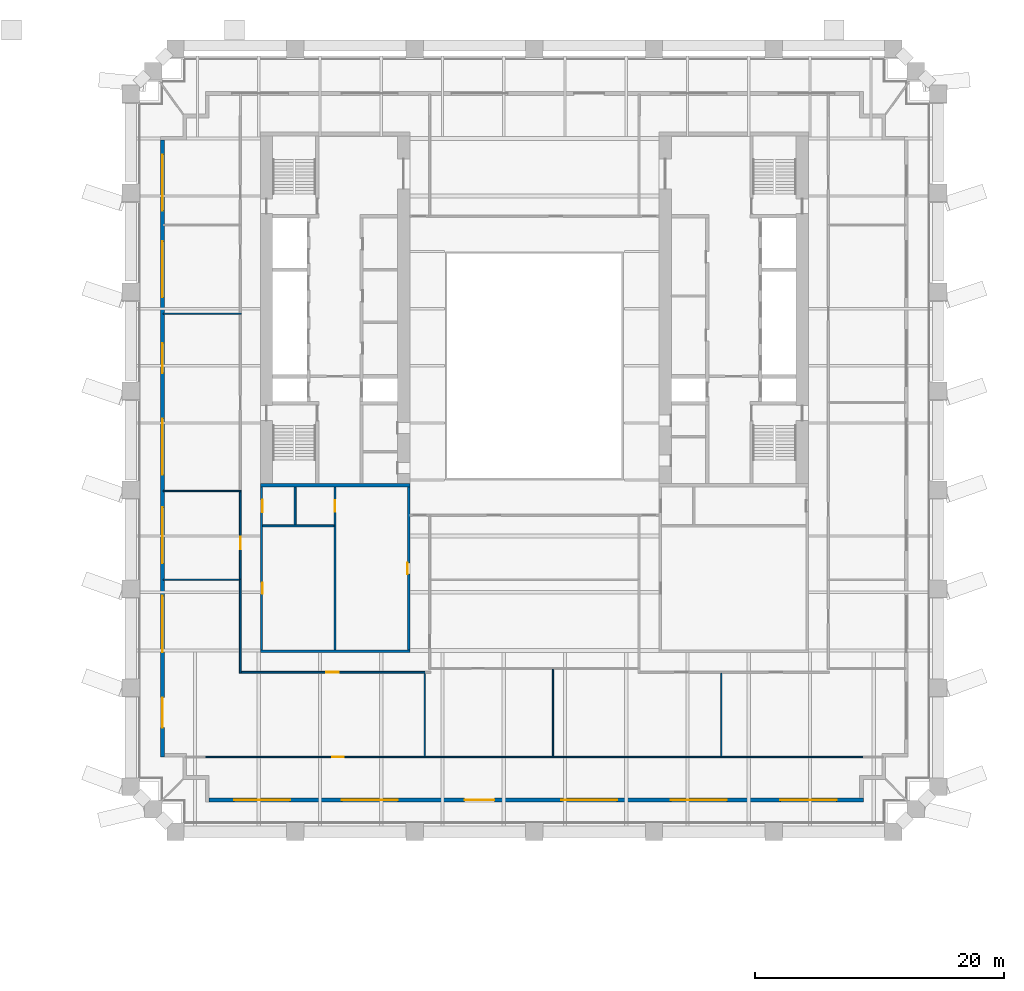
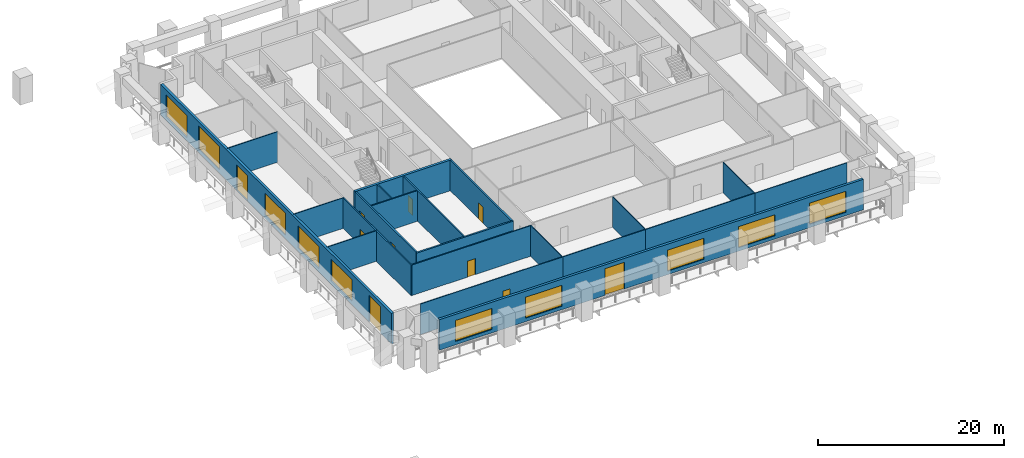
# One storey, part 3 of 10: 22 walls, 10 doors, 10 windows, 20 openings.
"""IFC4 building model written with IfcOpenShell, lengths in metres."""

from ifc_helpers import new_model, si_unit, direction, frame, frame_2d, origin, place, context, subcontext, project, spatial, rectangle, extrude, material, layer, layer_set, type_object, element, fill, save


model = new_model("IFC4")

# Units and contexts
model_context = context("Model", 3, precision=1e-05, world=origin(), true_north=direction((0.0, 1.0)))
body_context = subcontext(model_context, "Body", "Model", "MODEL_VIEW")
ifc_project = project(units=[si_unit("LENGTHUNIT", "METRE"), si_unit("AREAUNIT", "SQUARE_METRE"), si_unit("VOLUMEUNIT", "CUBIC_METRE"), si_unit("PLANEANGLEUNIT", "RADIAN"), si_unit("MASSUNIT", "GRAM", prefix="KILO")], contexts=[model_context])

# Site, building, storey
site_placement = place(None, origin())
site = spatial("IfcSite", under=ifc_project, at=site_placement, CompositionType="ELEMENT")
building_placement = place(site_placement, origin())
building = spatial("IfcBuilding", under=site, at=building_placement, Name="Ogive Exchange Tower", CompositionType="ELEMENT")
storey_placement = place(building_placement, frame((0.0, 0.0, 43.800048828125)))
storey = spatial("IfcBuildingStorey", under=building, at=storey_placement, Name="L08", CompositionType="ELEMENT", Elevation=43.800048828125)

# Wall, opening, door
ifc_material_1 = material(Name="Gypsum board partition")
ifc_layer_1 = layer(ifc_material_1, 0.14990234375)
ifc_layer_set_1 = layer_set([ifc_layer_1], Name="Core room partition 150 gypsum")
wall_type_1 = type_object("IfcWallType", Name="Core room partition 150 gypsum", PredefinedType="PARTITIONING", material=ifc_layer_set_1)
wall_1_placement = place(storey_placement, frame((-16.0, -15.800048828125, 0.0), z_axis=(0.0, 0.0, 1.0), x_axis=(0.0, 1.0, 0.0)))
wall_1 = element("IfcWall", 1, at=wall_1_placement, inside=storey, type_object=wall_type_1, Name="W annex S column wall", PredefinedType="PARTITIONING", context=body_context, shape_type="SweptSolid", body=[
    extrude(rectangle(XDim=13.050048828125, YDim=0.14990234375, at=frame_2d((6.52490234375, 0.0))), origin(), (0.0, 0.0, 1.0), 4.0),
])
opening_1_placement = place(wall_1_placement, frame((11.08740234375, 0.0, 0.0)))
opening_1 = element("IfcOpeningElement", 2, at=opening_1_placement, cuts=wall_1, Name="Opening L08-C22", PredefinedType="OPENING", context=body_context, shape_type="SweptSolid", body=[
    extrude(rectangle(XDim=0.89990234375, YDim=2.10009765625, at=frame_2d((0.449951171875, 1.050048828125))), frame((0.0, 0.0849609375, 0.0), z_axis=(0.0, -1.0, 0.0), x_axis=(1.0, 0.0, 0.0)), (0.0, 0.0, 1.0), 0.169921875),
])
ifc_material_2 = material(Name="Steel fire door", Category="steel")
door_type_1 = type_object("IfcDoorType", Name="Riser door FD60 900 x 2100", OperationType="NOTDEFINED", PredefinedType="DOOR", material=ifc_material_2)
door_1_placement = place(opening_1_placement, frame((0.89990234375, 0.0, 0.0), z_axis=(0.0, 0.0, 1.0), x_axis=(-1.0, 0.0, 0.0)))
door_1 = element("IfcDoor", 3, at=door_1_placement, inside=storey, type_object=door_type_1, Name="Riser door", ObjectType="CD2", OperationType="SINGLE_SWING_RIGHT", OverallHeight=2.10009765625, OverallWidth=0.89990234375, PredefinedType="DOOR", context=body_context, shape_type="SweptSolid", body=[
    extrude(rectangle(XDim=0.89990234375, YDim=2.10009765625, at=frame_2d((0.449951171875, 1.050048828125))), frame((0.0, 0.02490234375, 0.0), z_axis=(0.0, -1.0, 0.0), x_axis=(1.0, 0.0, 0.0)), (0.0, 0.0, 1.0), 0.050048828125),
])
fill(opening_1, door_1)

# Walls
wall_2_placement = place(storey_placement, frame((-21.800048828125, -5.85009765625, 0.0), z_axis=(0.0, 0.0, 1.0), x_axis=(1.0, 0.0, 0.0)))
element("IfcWall", 4, at=wall_2_placement, inside=storey, type_object=wall_type_1, Name="W annex S wc strip wall 00", PredefinedType="PARTITIONING", context=body_context, shape_type="SweptSolid", body=[
    extrude(rectangle(XDim=5.72509765625, YDim=0.14990234375, at=frame_2d((2.862548828125, 0.0))), origin(), (0.0, 0.0, 1.0), 4.0),
])
wall_3_placement = place(storey_placement, frame((-19.199951171875, -5.77490234375, 0.0), z_axis=(0.0, 0.0, 1.0), x_axis=(0.0, 1.0, 0.0)))
element("IfcWall", 5, at=wall_3_placement, inside=storey, type_object=wall_type_1, Name="W annex S wc partition 00", PredefinedType="PARTITIONING", context=body_context, shape_type="SweptSolid", body=[
    extrude(rectangle(XDim=3.02490234375, YDim=0.14990234375, at=frame_2d((1.512451171875, 0.0))), origin(), (0.0, 0.0, 1.0), 4.0),
])
ifc_material_3 = material(Name="Fire partition EI 60 150")
ifc_layer_2 = layer(ifc_material_3, 0.14990234375)
ifc_layer_set_2 = layer_set([ifc_layer_2], Name="Fire partition EI 60 150")
wall_type_2 = type_object("IfcWallType", Name="Fire partition EI 60 150", PredefinedType="PARTITIONING", material=ifc_layer_set_2)
wall_4_placement = place(storey_placement, frame((-23.60009765625, -17.675048828125, 0.0), z_axis=(0.0, 0.0, 1.0), x_axis=(0.0, 1.0, 0.0)))
element("IfcWall", 6, at=wall_4_placement, inside=storey, type_object=wall_type_2, Name="L08-PWL-006", PredefinedType="PARTITIONING", context=body_context, shape_type="SweptSolid", body=[
    extrude(rectangle(XDim=7.554931640625, YDim=0.14990234375, at=frame_2d((3.77734375, 0.0))), origin(), (0.0, 0.0, 1.0), 4.0),
])

# Wall, opening, door
wall_5_placement = place(storey_placement, frame((-23.60009765625, -10.1201171875, 0.0), z_axis=(0.0, 0.0, 1.0), x_axis=(0.0, 1.0, 0.0)))
wall_5 = element("IfcWall", 7, at=wall_5_placement, inside=storey, type_object=wall_type_2, Name="L08-PWL-008", PredefinedType="PARTITIONING", context=body_context, shape_type="SweptSolid", body=[
    extrude(rectangle(XDim=7.010009765625, YDim=0.14990234375, at=frame_2d((3.5048828125, 0.0))), origin(), (0.0, 0.0, 1.0), 4.0),
])
opening_2_placement = place(wall_5_placement, frame((2.409912109375, 0.0, 0.0)))
opening_2 = element("IfcOpeningElement", 8, at=opening_2_placement, cuts=wall_5, Name="Opening L08-I02", PredefinedType="OPENING", context=body_context, shape_type="SweptSolid", body=[
    extrude(rectangle(XDim=1.0, YDim=2.10009765625, at=frame_2d((0.5, 1.050048828125))), frame((0.0, 0.0849609375, 0.0), z_axis=(0.0, -1.0, 0.0), x_axis=(1.0, 0.0, 0.0)), (0.0, 0.0, 1.0), 0.169921875),
])
ifc_material_4 = material(Name="Fire door FD 30S 1000 x 2100")
door_type_2 = type_object("IfcDoorType", Name="Fire door FD 30S 1000 x 2100", OperationType="NOTDEFINED", PredefinedType="DOOR", material=ifc_material_4)
door_2_placement = place(opening_2_placement, origin())
door_2 = element("IfcDoor", 9, at=door_2_placement, inside=storey, type_object=door_type_2, Name="L08-IDR-002", ObjectType="DT3", OperationType="SINGLE_SWING_RIGHT", OverallHeight=2.10009765625, OverallWidth=1.0, PredefinedType="DOOR", context=body_context, shape_type="SweptSolid", body=[
    extrude(rectangle(XDim=1.0, YDim=2.10009765625, at=frame_2d((0.5, 1.050048828125))), frame((0.0, 0.02490234375, 0.0), z_axis=(0.0, -1.0, 0.0), x_axis=(1.0, 0.0, 0.0)), (0.0, 0.0, 1.0), 0.050048828125),
])
fill(opening_2, door_2)

wall_6_placement = place(storey_placement, frame((-8.75, -17.60009765625, 0.0), z_axis=(0.0, 0.0, 1.0), x_axis=(-1.0, 0.0, 0.0)))
wall_6 = element("IfcWall", 10, at=wall_6_placement, inside=storey, type_object=wall_type_2, Name="L08-PWL-014", PredefinedType="PARTITIONING", context=body_context, shape_type="SweptSolid", body=[
    extrude(rectangle(XDim=14.77490234375, YDim=0.14990234375, at=frame_2d((7.387451171875, 0.0))), origin(), (0.0, 0.0, 1.0), 4.0),
])
opening_3_placement = place(wall_6_placement, frame((6.949951171875, 0.0, 0.0)))
opening_3 = element("IfcOpeningElement", 11, at=opening_3_placement, cuts=wall_6, Name="Opening L08-I11", PredefinedType="OPENING", context=body_context, shape_type="SweptSolid", body=[
    extrude(rectangle(XDim=1.0, YDim=2.10009765625, at=frame_2d((0.5, 1.050048828125))), frame((0.0, 0.0849609375, 0.0), z_axis=(0.0, -1.0, 0.0), x_axis=(1.0, 0.0, 0.0)), (0.0, 0.0, 1.0), 0.169921875),
])
door_3_placement = place(opening_3_placement, origin())
door_3 = element("IfcDoor", 12, at=door_3_placement, inside=storey, type_object=door_type_2, Name="L08-IDR-011", ObjectType="DT3", OperationType="SINGLE_SWING_LEFT", OverallHeight=2.10009765625, OverallWidth=1.0, PredefinedType="DOOR", context=body_context, shape_type="SweptSolid", body=[
    extrude(rectangle(XDim=1.0, YDim=2.10009765625, at=frame_2d((0.5, 1.050048828125))), frame((0.0, 0.02490234375, 0.0), z_axis=(0.0, -1.0, 0.0), x_axis=(1.0, 0.0, 0.0)), (0.0, 0.0, 1.0), 0.050048828125),
])
fill(opening_3, door_3)

# Wall, openings, door, windows
ifc_material_5 = material(Name="Precast concrete C40/50", Category="concrete")
ifc_layer_3 = layer(ifc_material_5, 0.300048828125)
ifc_layer_set_3 = layer_set([ifc_layer_3], Name="Limestone-faced wall 300")
wall_type_3 = type_object("IfcWallType", Name="Limestone-faced wall 300", PredefinedType="STANDARD", material=ifc_layer_set_3)
wall_7_placement = place(storey_placement, frame((-26.10009765625, -27.85009765625, 0.0), z_axis=(0.0, 0.0, 1.0), x_axis=(1.0, 0.0, 0.0)))
wall_7 = element("IfcWall", 13, at=wall_7_placement, inside=storey, type_object=wall_type_3, Name="External wall S1", PredefinedType="STANDARD", context=body_context, shape_type="SweptSolid", body=[
    extrude(rectangle(XDim=52.5, YDim=0.300048828125, at=frame_2d((26.25, 0.0))), origin(), (0.0, 0.0, 1.0), 4.0),
])
opening_4_placement = place(wall_7_placement, frame((2.0, 0.0, 0.449951171875)))
opening_4 = element("IfcOpeningElement", 14, at=opening_4_placement, cuts=wall_7, Name="Opening W1H", PredefinedType="OPENING", context=body_context, shape_type="SweptSolid", body=[
    extrude(rectangle(XDim=4.5, YDim=2.75, at=frame_2d((2.25, 1.375))), frame((0.0, 0.159912109375, 0.0), z_axis=(0.0, -1.0, 0.0), x_axis=(1.0, 0.0, 0.0)), (0.0, 0.0, 1.0), 0.320068359375),
])
opening_5_placement = place(wall_7_placement, frame((10.64990234375, 0.0, 0.449951171875)))
opening_5 = element("IfcOpeningElement", 15, at=opening_5_placement, cuts=wall_7, Name="Opening W1H", PredefinedType="OPENING", context=body_context, shape_type="SweptSolid", body=[
    extrude(rectangle(XDim=4.5, YDim=2.75, at=frame_2d((2.25, 1.375))), frame((0.0, 0.159912109375, 0.0), z_axis=(0.0, -1.0, 0.0), x_axis=(1.0, 0.0, 0.0)), (0.0, 0.0, 1.0), 0.320068359375),
])
opening_6_placement = place(wall_7_placement, frame((20.5, 0.0, 0.0)))
opening_6 = element("IfcOpeningElement", 16, at=opening_6_placement, cuts=wall_7, Name="Opening D1", PredefinedType="OPENING", context=body_context, shape_type="SweptSolid", body=[
    extrude(rectangle(XDim=2.39990234375, YDim=3.5, at=frame_2d((1.199951171875, 1.75))), frame((0.0, 0.159912109375, 0.0), z_axis=(0.0, -1.0, 0.0), x_axis=(1.0, 0.0, 0.0)), (0.0, 0.0, 1.0), 0.320068359375),
])
opening_7_placement = place(wall_7_placement, frame((28.25, 0.0, 0.449951171875)))
opening_7 = element("IfcOpeningElement", 17, at=opening_7_placement, cuts=wall_7, Name="Opening W1H", PredefinedType="OPENING", context=body_context, shape_type="SweptSolid", body=[
    extrude(rectangle(XDim=4.5, YDim=2.75, at=frame_2d((2.25, 1.375))), frame((0.0, 0.159912109375, 0.0), z_axis=(0.0, -1.0, 0.0), x_axis=(1.0, 0.0, 0.0)), (0.0, 0.0, 1.0), 0.320068359375),
])
opening_8_placement = place(wall_7_placement, frame((37.050048828125, 0.0, 0.449951171875)))
opening_8 = element("IfcOpeningElement", 18, at=opening_8_placement, cuts=wall_7, Name="Opening W1H", PredefinedType="OPENING", context=body_context, shape_type="SweptSolid", body=[
    extrude(rectangle(XDim=4.5, YDim=2.75, at=frame_2d((2.25, 1.375))), frame((0.0, 0.159912109375, 0.0), z_axis=(0.0, -1.0, 0.0), x_axis=(1.0, 0.0, 0.0)), (0.0, 0.0, 1.0), 0.320068359375),
])
opening_9_placement = place(wall_7_placement, frame((45.85009765625, 0.0, 0.449951171875)))
opening_9 = element("IfcOpeningElement", 19, at=opening_9_placement, cuts=wall_7, Name="Opening W1H", PredefinedType="OPENING", context=body_context, shape_type="SweptSolid", body=[
    extrude(rectangle(XDim=4.5, YDim=2.75, at=frame_2d((2.25, 1.375))), frame((0.0, 0.159912109375, 0.0), z_axis=(0.0, -1.0, 0.0), x_axis=(1.0, 0.0, 0.0)), (0.0, 0.0, 1.0), 0.320068359375),
])
ifc_material_6 = material(Name="Clear glass in bronze frame", Category="glass")
door_type_3 = type_object("IfcDoorType", Name="Sliding loggia door 2400 x 3500", OperationType="DOUBLE_DOOR_SLIDING", PredefinedType="DOOR", material=ifc_material_6)
door_4_placement = place(opening_6_placement, origin())
door_4 = element("IfcDoor", 20, at=door_4_placement, inside=storey, type_object=door_type_3, Name="Loggia door S02", OperationType="DOUBLE_DOOR_SLIDING", OverallHeight=3.5, OverallWidth=2.39990234375, PredefinedType="DOOR", context=body_context, shape_type="SweptSolid", body=[
    extrude(rectangle(XDim=2.39990234375, YDim=3.5, at=frame_2d((1.199951171875, 1.75))), frame((0.0, 0.02490234375, 0.0), z_axis=(0.0, -1.0, 0.0), x_axis=(1.0, 0.0, 0.0)), (0.0, 0.0, 1.0), 0.050048828125),
])
fill(opening_6, door_4)
window_type_1 = type_object("IfcWindowType", Name="Twin lancet window 4500 x 2750", PartitioningType="DOUBLE_PANEL_VERTICAL", PredefinedType="WINDOW", material=ifc_material_6)
window_1_placement = place(opening_4_placement, origin())
window_1 = element("IfcWindow", 21, at=window_1_placement, inside=storey, type_object=window_type_1, Name="Window S00", OverallHeight=2.75, OverallWidth=4.5, PartitioningType="DOUBLE_PANEL_VERTICAL", PredefinedType="WINDOW", context=body_context, shape_type="SweptSolid", body=[
    extrude(rectangle(XDim=4.5, YDim=2.75, at=frame_2d((2.25, 1.375))), frame((0.0, 0.030029296875, 0.0), z_axis=(0.0, -1.0, 0.0), x_axis=(1.0, 0.0, 0.0)), (0.0, 0.0, 1.0), 0.06005859375),
])
fill(opening_4, window_1)
window_2_placement = place(opening_5_placement, origin())
window_2 = element("IfcWindow", 22, at=window_2_placement, inside=storey, type_object=window_type_1, Name="Window S01", OverallHeight=2.75, OverallWidth=4.5, PartitioningType="DOUBLE_PANEL_VERTICAL", PredefinedType="WINDOW", context=body_context, shape_type="SweptSolid", body=[
    extrude(rectangle(XDim=4.5, YDim=2.75, at=frame_2d((2.25, 1.375))), frame((0.0, 0.030029296875, 0.0), z_axis=(0.0, -1.0, 0.0), x_axis=(1.0, 0.0, 0.0)), (0.0, 0.0, 1.0), 0.06005859375),
])
fill(opening_5, window_2)
window_3_placement = place(opening_7_placement, origin())
window_3 = element("IfcWindow", 23, at=window_3_placement, inside=storey, type_object=window_type_1, Name="Window S03", OverallHeight=2.75, OverallWidth=4.5, PartitioningType="DOUBLE_PANEL_VERTICAL", PredefinedType="WINDOW", context=body_context, shape_type="SweptSolid", body=[
    extrude(rectangle(XDim=4.5, YDim=2.75, at=frame_2d((2.25, 1.375))), frame((0.0, 0.030029296875, 0.0), z_axis=(0.0, -1.0, 0.0), x_axis=(1.0, 0.0, 0.0)), (0.0, 0.0, 1.0), 0.06005859375),
])
fill(opening_7, window_3)
window_4_placement = place(opening_8_placement, origin())
window_4 = element("IfcWindow", 24, at=window_4_placement, inside=storey, type_object=window_type_1, Name="Window S04", OverallHeight=2.75, OverallWidth=4.5, PartitioningType="DOUBLE_PANEL_VERTICAL", PredefinedType="WINDOW", context=body_context, shape_type="SweptSolid", body=[
    extrude(rectangle(XDim=4.5, YDim=2.75, at=frame_2d((2.25, 1.375))), frame((0.0, 0.030029296875, 0.0), z_axis=(0.0, -1.0, 0.0), x_axis=(1.0, 0.0, 0.0)), (0.0, 0.0, 1.0), 0.06005859375),
])
fill(opening_8, window_4)
window_5_placement = place(opening_9_placement, origin())
window_5 = element("IfcWindow", 25, at=window_5_placement, inside=storey, type_object=window_type_1, Name="Window S05", OverallHeight=2.75, OverallWidth=4.5, PartitioningType="DOUBLE_PANEL_VERTICAL", PredefinedType="WINDOW", context=body_context, shape_type="SweptSolid", body=[
    extrude(rectangle(XDim=4.5, YDim=2.75, at=frame_2d((2.25, 1.375))), frame((0.0, 0.030029296875, 0.0), z_axis=(0.0, -1.0, 0.0), x_axis=(1.0, 0.0, 0.0)), (0.0, 0.0, 1.0), 0.06005859375),
])
fill(opening_9, window_5)

# Wall, openings, doors, windows
wall_8_placement = place(storey_placement, frame((-29.85009765625, 25.10009765625, 0.0), z_axis=(0.0, 0.0, 1.0), x_axis=(0.0, -1.0, 0.0)))
wall_8 = element("IfcWall", 26, at=wall_8_placement, inside=storey, type_object=wall_type_3, Name="External wall W4", PredefinedType="STANDARD", context=body_context, shape_type="SweptSolid", body=[
    extrude(rectangle(XDim=49.5, YDim=0.300048828125, at=frame_2d((24.75, 0.0))), origin(), (0.0, 0.0, 1.0), 4.0),
])
opening_10_placement = place(wall_8_placement, frame((1.156982421875, 0.0, 0.449951171875)))
opening_10 = element("IfcOpeningElement", 27, at=opening_10_placement, cuts=wall_8, Name="Opening W1D", PredefinedType="OPENING", context=body_context, shape_type="SweptSolid", body=[
    extrude(rectangle(XDim=4.5, YDim=2.875, at=frame_2d((2.25, 1.4375))), frame((0.0, 0.159912109375, 0.0), z_axis=(0.0, -1.0, 0.0), x_axis=(1.0, 0.0, 0.0)), (0.0, 0.0, 1.0), 0.320068359375),
])
opening_11_placement = place(wall_8_placement, frame((8.121337890625, 0.0, 0.449951171875)))
opening_11 = element("IfcOpeningElement", 28, at=opening_11_placement, cuts=wall_8, Name="Opening W1", PredefinedType="OPENING", context=body_context, shape_type="SweptSolid", body=[
    extrude(rectangle(XDim=4.5, YDim=3.050048828125, at=frame_2d((2.25, 1.52490234375))), frame((0.0, 0.159912109375, 0.0), z_axis=(0.0, -1.0, 0.0), x_axis=(1.0, 0.0, 0.0)), (0.0, 0.0, 1.0), 0.320068359375),
])
opening_12_placement = place(wall_8_placement, frame((16.28564453125, 0.0, 0.0)))
opening_12 = element("IfcOpeningElement", 29, at=opening_12_placement, cuts=wall_8, Name="Opening D1C", PredefinedType="OPENING", context=body_context, shape_type="SweptSolid", body=[
    extrude(rectangle(XDim=2.39990234375, YDim=3.324951171875, at=frame_2d((1.199951171875, 1.66259765625))), frame((0.0, 0.159912109375, 0.0), z_axis=(0.0, -1.0, 0.0), x_axis=(1.0, 0.0, 0.0)), (0.0, 0.0, 1.0), 0.320068359375),
])
opening_13_placement = place(wall_8_placement, frame((22.35009765625, 0.0, 0.449951171875)))
opening_13 = element("IfcOpeningElement", 30, at=opening_13_placement, cuts=wall_8, Name="Opening W1D", PredefinedType="OPENING", context=body_context, shape_type="SweptSolid", body=[
    extrude(rectangle(XDim=4.5, YDim=2.875, at=frame_2d((2.25, 1.4375))), frame((0.0, 0.159912109375, 0.0), z_axis=(0.0, -1.0, 0.0), x_axis=(1.0, 0.0, 0.0)), (0.0, 0.0, 1.0), 0.320068359375),
])
opening_14_placement = place(wall_8_placement, frame((29.464111328125, 0.0, 0.449951171875)))
opening_14 = element("IfcOpeningElement", 31, at=opening_14_placement, cuts=wall_8, Name="Opening W1D", PredefinedType="OPENING", context=body_context, shape_type="SweptSolid", body=[
    extrude(rectangle(XDim=4.5, YDim=2.875, at=frame_2d((2.25, 1.4375))), frame((0.0, 0.159912109375, 0.0), z_axis=(0.0, -1.0, 0.0), x_axis=(1.0, 0.0, 0.0)), (0.0, 0.0, 1.0), 0.320068359375),
])
opening_15_placement = place(wall_8_placement, frame((36.57861328125, 0.0, 0.449951171875)))
opening_15 = element("IfcOpeningElement", 32, at=opening_15_placement, cuts=wall_8, Name="Opening W1E", PredefinedType="OPENING", context=body_context, shape_type="SweptSolid", body=[
    extrude(rectangle(XDim=4.5, YDim=2.824951171875, at=frame_2d((2.25, 1.41259765625))), frame((0.0, 0.159912109375, 0.0), z_axis=(0.0, -1.0, 0.0), x_axis=(1.0, 0.0, 0.0)), (0.0, 0.0, 1.0), 0.320068359375),
])
opening_16_placement = place(wall_8_placement, frame((44.742919921875, 0.0, 0.0)))
opening_16 = element("IfcOpeningElement", 33, at=opening_16_placement, cuts=wall_8, Name="Opening D1", PredefinedType="OPENING", context=body_context, shape_type="SweptSolid", body=[
    extrude(rectangle(XDim=2.39990234375, YDim=3.5, at=frame_2d((1.199951171875, 1.75))), frame((0.0, 0.159912109375, 0.0), z_axis=(0.0, -1.0, 0.0), x_axis=(1.0, 0.0, 0.0)), (0.0, 0.0, 1.0), 0.320068359375),
])
door_type_4 = type_object("IfcDoorType", Name="Sliding loggia door 2400 x 3325", OperationType="DOUBLE_DOOR_SLIDING", PredefinedType="DOOR", material=ifc_material_6)
door_5_placement = place(opening_12_placement, origin())
door_5 = element("IfcDoor", 34, at=door_5_placement, inside=storey, type_object=door_type_4, Name="Loggia door W02", OperationType="DOUBLE_DOOR_SLIDING", OverallHeight=3.324951171875, OverallWidth=2.39990234375, PredefinedType="DOOR", context=body_context, shape_type="SweptSolid", body=[
    extrude(rectangle(XDim=2.39990234375, YDim=3.324951171875, at=frame_2d((1.199951171875, 1.66259765625))), frame((0.0, 0.02490234375, 0.0), z_axis=(0.0, -1.0, 0.0), x_axis=(1.0, 0.0, 0.0)), (0.0, 0.0, 1.0), 0.050048828125),
])
fill(opening_12, door_5)
door_6_placement = place(opening_16_placement, origin())
door_6 = element("IfcDoor", 35, at=door_6_placement, inside=storey, type_object=door_type_3, Name="Loggia door W06", OperationType="DOUBLE_DOOR_SLIDING", OverallHeight=3.5, OverallWidth=2.39990234375, PredefinedType="DOOR", context=body_context, shape_type="SweptSolid", body=[
    extrude(rectangle(XDim=2.39990234375, YDim=3.5, at=frame_2d((1.199951171875, 1.75))), frame((0.0, 0.02490234375, 0.0), z_axis=(0.0, -1.0, 0.0), x_axis=(1.0, 0.0, 0.0)), (0.0, 0.0, 1.0), 0.050048828125),
])
fill(opening_16, door_6)
window_type_2 = type_object("IfcWindowType", Name="Twin lancet window 4500 x 2825", PartitioningType="DOUBLE_PANEL_VERTICAL", PredefinedType="WINDOW", material=ifc_material_6)
window_6_placement = place(opening_15_placement, origin())
window_6 = element("IfcWindow", 36, at=window_6_placement, inside=storey, type_object=window_type_2, Name="Window W05", OverallHeight=2.824951171875, OverallWidth=4.5, PartitioningType="DOUBLE_PANEL_VERTICAL", PredefinedType="WINDOW", context=body_context, shape_type="SweptSolid", body=[
    extrude(rectangle(XDim=4.5, YDim=2.824951171875, at=frame_2d((2.25, 1.41259765625))), frame((0.0, 0.030029296875, 0.0), z_axis=(0.0, -1.0, 0.0), x_axis=(1.0, 0.0, 0.0)), (0.0, 0.0, 1.0), 0.06005859375),
])
fill(opening_15, window_6)
window_type_3 = type_object("IfcWindowType", Name="Twin lancet window 4500 x 2875", PartitioningType="DOUBLE_PANEL_VERTICAL", PredefinedType="WINDOW", material=ifc_material_6)
window_7_placement = place(opening_10_placement, origin())
window_7 = element("IfcWindow", 37, at=window_7_placement, inside=storey, type_object=window_type_3, Name="Window W00", OverallHeight=2.875, OverallWidth=4.5, PartitioningType="DOUBLE_PANEL_VERTICAL", PredefinedType="WINDOW", context=body_context, shape_type="SweptSolid", body=[
    extrude(rectangle(XDim=4.5, YDim=2.875, at=frame_2d((2.25, 1.4375))), frame((0.0, 0.030029296875, 0.0), z_axis=(0.0, -1.0, 0.0), x_axis=(1.0, 0.0, 0.0)), (0.0, 0.0, 1.0), 0.06005859375),
])
fill(opening_10, window_7)
window_8_placement = place(opening_13_placement, origin())
window_8 = element("IfcWindow", 38, at=window_8_placement, inside=storey, type_object=window_type_3, Name="Window W03", OverallHeight=2.875, OverallWidth=4.5, PartitioningType="DOUBLE_PANEL_VERTICAL", PredefinedType="WINDOW", context=body_context, shape_type="SweptSolid", body=[
    extrude(rectangle(XDim=4.5, YDim=2.875, at=frame_2d((2.25, 1.4375))), frame((0.0, 0.030029296875, 0.0), z_axis=(0.0, -1.0, 0.0), x_axis=(1.0, 0.0, 0.0)), (0.0, 0.0, 1.0), 0.06005859375),
])
fill(opening_13, window_8)
window_9_placement = place(opening_14_placement, origin())
window_9 = element("IfcWindow", 39, at=window_9_placement, inside=storey, type_object=window_type_3, Name="Window W04", OverallHeight=2.875, OverallWidth=4.5, PartitioningType="DOUBLE_PANEL_VERTICAL", PredefinedType="WINDOW", context=body_context, shape_type="SweptSolid", body=[
    extrude(rectangle(XDim=4.5, YDim=2.875, at=frame_2d((2.25, 1.4375))), frame((0.0, 0.030029296875, 0.0), z_axis=(0.0, -1.0, 0.0), x_axis=(1.0, 0.0, 0.0)), (0.0, 0.0, 1.0), 0.06005859375),
])
fill(opening_14, window_9)
window_type_4 = type_object("IfcWindowType", Name="Twin lancet window 4500 x 3050", PartitioningType="DOUBLE_PANEL_VERTICAL", PredefinedType="WINDOW", material=ifc_material_6)
window_10_placement = place(opening_11_placement, origin())
window_10 = element("IfcWindow", 40, at=window_10_placement, inside=storey, type_object=window_type_4, Name="Window W01", OverallHeight=3.050048828125, OverallWidth=4.5, PartitioningType="DOUBLE_PANEL_VERTICAL", PredefinedType="WINDOW", context=body_context, shape_type="SweptSolid", body=[
    extrude(rectangle(XDim=4.5, YDim=3.050048828125, at=frame_2d((2.25, 1.52490234375))), frame((0.0, 0.030029296875, 0.0), z_axis=(0.0, -1.0, 0.0), x_axis=(1.0, 0.0, 0.0)), (0.0, 0.0, 1.0), 0.06005859375),
])
fill(opening_11, window_10)

# Walls
ifc_material_7 = material(Name="Partition 100 gypsum")
ifc_layer_4 = layer(ifc_material_7, 0.10009765625)
ifc_layer_set_4 = layer_set([ifc_layer_4], Name="Partition 100 gypsum")
wall_type_4 = type_object("IfcWallType", Name="Partition 100 gypsum", PredefinedType="PARTITIONING", material=ifc_layer_set_4)
for number, where, z_axis, x_axis, name in (
    (41, (-29.800048828125, -3.06005859375, 0.0), (0.0, 0.0, 1.0), (1.0, 0.0, 0.0), "L08-PWL-001"),
    (42, (-29.800048828125, 11.169921875, 0.0), (0.0, 0.0, 1.0), (1.0, 0.0, 0.0), "L08-PWL-002"),
):
    element("IfcWall", number, at=place(storey_placement, frame(where, z_axis=z_axis, x_axis=x_axis)), inside=storey, type_object=wall_type_4, Name=name, PredefinedType="PARTITIONING", context=body_context, shape_type="SweptSolid", body=[
        extrude(rectangle(XDim=6.275146484375, YDim=0.10009765625, at=frame_2d((3.1376953125, 0.0))), origin(), (0.0, 0.0, 1.0), 4.0),
    ])

# Wall, opening, door
wall_9_placement = place(storey_placement, frame((-26.409912109375, -24.39990234375, 0.0), z_axis=(0.0, 0.0, 1.0), x_axis=(1.0, 0.0, 0.0)))
wall_9 = element("IfcWall", 43, at=wall_9_placement, inside=storey, type_object=wall_type_4, Name="L08-PWL-005", PredefinedType="PARTITIONING", context=body_context, shape_type="SweptSolid", body=[
    extrude(rectangle(XDim=17.659912109375, YDim=0.10009765625, at=frame_2d((8.830078125, 0.0))), origin(), (0.0, 0.0, 1.0), 4.0),
])
opening_17_placement = place(wall_9_placement, frame((10.199951171875, 0.0, 0.0)))
opening_17 = element("IfcOpeningElement", 44, at=opening_17_placement, cuts=wall_9, Name="Opening L08-I10", PredefinedType="OPENING", context=body_context, shape_type="SweptSolid", body=[
    extrude(rectangle(XDim=0.89990234375, YDim=2.10009765625, at=frame_2d((0.449951171875, 1.050048828125))), frame((0.0, 0.06005859375, 0.0), z_axis=(0.0, -1.0, 0.0), x_axis=(1.0, 0.0, 0.0)), (0.0, 0.0, 1.0), 0.1201171875),
])
ifc_material_8 = material(Name="Door 900 x 2100")
door_type_5 = type_object("IfcDoorType", Name="Door 900 x 2100", OperationType="NOTDEFINED", PredefinedType="DOOR", material=ifc_material_8)
door_7_placement = place(opening_17_placement, frame((0.89990234375, 0.0, 0.0), z_axis=(0.0, 0.0, 1.0), x_axis=(-1.0, 0.0, 0.0)))
door_7 = element("IfcDoor", 45, at=door_7_placement, inside=storey, type_object=door_type_5, Name="L08-IDR-010", ObjectType="DT1", OperationType="SINGLE_SWING_RIGHT", OverallHeight=2.10009765625, OverallWidth=0.89990234375, PredefinedType="DOOR", context=body_context, shape_type="SweptSolid", body=[
    extrude(rectangle(XDim=0.89990234375, YDim=2.10009765625, at=frame_2d((0.449951171875, 1.050048828125))), frame((0.0, 0.02490234375, 0.0), z_axis=(0.0, -1.0, 0.0), x_axis=(1.0, 0.0, 0.0)), (0.0, 0.0, 1.0), 0.050048828125),
])
fill(opening_17, door_7)

# Walls
wall_10_placement = place(storey_placement, frame((-23.675048828125, -10.169921875, 0.0), z_axis=(0.0, 0.0, 1.0), x_axis=(-1.0, 0.0, 0.0)))
element("IfcWall", 46, at=wall_10_placement, inside=storey, type_object=wall_type_4, Name="L08-PWL-007", PredefinedType="PARTITIONING", context=body_context, shape_type="SweptSolid", body=[
    extrude(rectangle(XDim=6.125, YDim=0.10009765625, at=frame_2d((3.0625, 0.0))), origin(), (0.0, 0.0, 1.0), 4.0),
])
wall_11_placement = place(storey_placement, frame((-8.75, -24.39990234375, 0.0), z_axis=(0.0, 0.0, 1.0), x_axis=(1.0, 0.0, 0.0)))
element("IfcWall", 47, at=wall_11_placement, inside=storey, type_object=wall_type_4, Name="L08-PWL-013", PredefinedType="PARTITIONING", context=body_context, shape_type="SweptSolid", body=[
    extrude(rectangle(XDim=10.199951171875, YDim=0.10009765625, at=frame_2d((5.10009765625, 0.0))), origin(), (0.0, 0.0, 1.0), 4.0),
])
wall_12_placement = place(storey_placement, frame((-8.800048828125, -17.675048828125, 0.0), z_axis=(0.0, 0.0, 1.0), x_axis=(0.0, -1.0, 0.0)))
element("IfcWall", 48, at=wall_12_placement, inside=storey, type_object=wall_type_4, Name="L08-PWL-015", PredefinedType="PARTITIONING", context=body_context, shape_type="SweptSolid", body=[
    extrude(rectangle(XDim=6.675048828125, YDim=0.10009765625, at=frame_2d((3.33740234375, 0.0))), origin(), (0.0, 0.0, 1.0), 4.0),
])
wall_13_placement = place(storey_placement, frame((1.449951171875, -24.39990234375, 0.0), z_axis=(0.0, 0.0, 1.0), x_axis=(1.0, 0.0, 0.0)))
element("IfcWall", 49, at=wall_13_placement, inside=storey, type_object=wall_type_4, Name="L08-PWL-022", PredefinedType="PARTITIONING", context=body_context, shape_type="SweptSolid", body=[
    extrude(rectangle(XDim=13.60009765625, YDim=0.10009765625, at=frame_2d((6.800048828125, 0.0))), origin(), (0.0, 0.0, 1.0), 4.0),
])
wall_14_placement = place(storey_placement, frame((1.5, -17.340087890625, 0.0), z_axis=(0.0, 0.0, 1.0), x_axis=(0.0, -1.0, 0.0)))
element("IfcWall", 50, at=wall_14_placement, inside=storey, type_object=wall_type_4, Name="L08-PWL-024", PredefinedType="PARTITIONING", context=body_context, shape_type="SweptSolid", body=[
    extrude(rectangle(XDim=7.010009765625, YDim=0.10009765625, at=frame_2d((3.5048828125, 0.0))), origin(), (0.0, 0.0, 1.0), 4.0),
])
wall_15_placement = place(storey_placement, frame((15.050048828125, -24.39990234375, 0.0), z_axis=(0.0, 0.0, 1.0), x_axis=(1.0, 0.0, 0.0)))
element("IfcWall", 51, at=wall_15_placement, inside=storey, type_object=wall_type_4, Name="L08-PWL-033", PredefinedType="PARTITIONING", context=body_context, shape_type="SweptSolid", body=[
    extrude(rectangle(XDim=11.35986328125, YDim=0.10009765625, at=frame_2d((5.679931640625, 0.0))), origin(), (0.0, 0.0, 1.0), 4.0),
])
wall_16_placement = place(storey_placement, frame((15.0, -17.675048828125, 0.0), z_axis=(0.0, 0.0, 1.0), x_axis=(0.0, -1.0, 0.0)))
element("IfcWall", 52, at=wall_16_placement, inside=storey, type_object=wall_type_4, Name="L08-PWL-035", PredefinedType="PARTITIONING", context=body_context, shape_type="SweptSolid", body=[
    extrude(rectangle(XDim=6.675048828125, YDim=0.10009765625, at=frame_2d((3.33740234375, 0.0))), origin(), (0.0, 0.0, 1.0), 4.0),
])

# Wall, openings, doors
ifc_material_9 = material(Name="Concrete C70/85", Category="concrete")
ifc_layer_5 = layer(ifc_material_9, 0.199951171875)
ifc_layer_set_5 = layer_set([ifc_layer_5], Name="RC core wall 200 C70/85")
wall_type_5 = type_object("IfcWallType", Name="RC core wall 200 C70/85", PredefinedType="SHEAR", material=ifc_layer_set_5)
wall_17_placement = place(storey_placement, frame((-21.89990234375, -15.800048828125, 0.0), z_axis=(0.0, 0.0, 1.0), x_axis=(0.0, 1.0, 0.0)))
wall_17 = element("IfcWall", 53, at=wall_17_placement, inside=storey, type_object=wall_type_5, Name="W annex S outer wall", PredefinedType="SHEAR", context=body_context, shape_type="SweptSolid", body=[
    extrude(rectangle(XDim=13.050048828125, YDim=0.199951171875, at=frame_2d((6.52490234375, 0.0))), origin(), (0.0, 0.0, 1.0), 4.0),
])
opening_18_placement = place(wall_17_placement, frame((4.487548828125, 0.0, 0.0)))
opening_18 = element("IfcOpeningElement", 54, at=opening_18_placement, cuts=wall_17, Name="Opening L08-C20", PredefinedType="OPENING", context=body_context, shape_type="SweptSolid", body=[
    extrude(rectangle(XDim=0.89990234375, YDim=2.10009765625, at=frame_2d((0.449951171875, 1.050048828125))), frame((0.0, 0.10986328125, 0.0), z_axis=(0.0, -1.0, 0.0), x_axis=(1.0, 0.0, 0.0)), (0.0, 0.0, 1.0), 0.219970703125),
])
opening_19_placement = place(wall_17_placement, frame((11.03759765625, 0.0, 0.0)))
opening_19 = element("IfcOpeningElement", 55, at=opening_19_placement, cuts=wall_17, Name="Opening L08-C21", PredefinedType="OPENING", context=body_context, shape_type="SweptSolid", body=[
    extrude(rectangle(XDim=1.0, YDim=2.10009765625, at=frame_2d((0.5, 1.050048828125))), frame((0.0, 0.10986328125, 0.0), z_axis=(0.0, -1.0, 0.0), x_axis=(1.0, 0.0, 0.0)), (0.0, 0.0, 1.0), 0.219970703125),
])
ifc_material_10 = material(Name="Timber fire door", Category="wood")
door_type_6 = type_object("IfcDoorType", Name="Accessible WC door FD30S 1000 x 2100", OperationType="NOTDEFINED", PredefinedType="DOOR", material=ifc_material_10)
door_8_placement = place(opening_19_placement, frame((1.0, -0.14990234375, 0.0), z_axis=(0.0, 0.0, 1.0), x_axis=(-1.0, 0.0, 0.0)))
door_8 = element("IfcDoor", 56, at=door_8_placement, inside=storey, type_object=door_type_6, Name="Accessible WC door", ObjectType="CD7", OperationType="SINGLE_SWING_LEFT", OverallHeight=2.10009765625, OverallWidth=1.0, PredefinedType="DOOR", context=body_context, shape_type="SweptSolid", body=[
    extrude(rectangle(XDim=1.0, YDim=2.10009765625, at=frame_2d((0.5, 1.050048828125))), frame((0.0, -0.0498046875, 0.0), z_axis=(0.0, -1.0, 0.0), x_axis=(1.0, 0.0, 0.0)), (0.0, 0.0, 1.0), 0.050048828125),
])
fill(opening_19, door_8)
door_9_placement = place(opening_18_placement, frame((0.89990234375, -0.14990234375, 0.0), z_axis=(0.0, 0.0, 1.0), x_axis=(-1.0, 0.0, 0.0)))
door_9 = element("IfcDoor", 57, at=door_9_placement, inside=storey, type_object=door_type_1, Name="Riser door", ObjectType="CD2", OperationType="SINGLE_SWING_LEFT", OverallHeight=2.10009765625, OverallWidth=0.89990234375, PredefinedType="DOOR", context=body_context, shape_type="SweptSolid", body=[
    extrude(rectangle(XDim=0.89990234375, YDim=2.10009765625, at=frame_2d((0.449951171875, 1.050048828125))), frame((0.0, -0.0498046875, 0.0), z_axis=(0.0, -1.0, 0.0), x_axis=(1.0, 0.0, 0.0)), (0.0, 0.0, 1.0), 0.050048828125),
])
fill(opening_18, door_9)

# Wall, opening, door
wall_18_placement = place(storey_placement, frame((-10.10009765625, -15.800048828125, 0.0), z_axis=(0.0, 0.0, 1.0), x_axis=(0.0, 1.0, 0.0)))
wall_18 = element("IfcWall", 58, at=wall_18_placement, inside=storey, type_object=wall_type_5, Name="W annex S inner wall", PredefinedType="SHEAR", context=body_context, shape_type="SweptSolid", body=[
    extrude(rectangle(XDim=13.050048828125, YDim=0.199951171875, at=frame_2d((6.52490234375, 0.0))), origin(), (0.0, 0.0, 1.0), 4.0),
])
opening_20_placement = place(wall_18_placement, frame((6.074951171875, 0.0, 0.0)))
opening_20 = element("IfcOpeningElement", 59, at=opening_20_placement, cuts=wall_18, Name="Opening L08-C23", PredefinedType="OPENING", context=body_context, shape_type="SweptSolid", body=[
    extrude(rectangle(XDim=0.89990234375, YDim=2.10009765625, at=frame_2d((0.449951171875, 1.050048828125))), frame((0.0, 0.10986328125, 0.0), z_axis=(0.0, -1.0, 0.0), x_axis=(1.0, 0.0, 0.0)), (0.0, 0.0, 1.0), 0.219970703125),
])
door_10_placement = place(opening_20_placement, origin())
door_10 = element("IfcDoor", 60, at=door_10_placement, inside=storey, type_object=door_type_1, Name="Riser door", ObjectType="CD2", OperationType="SINGLE_SWING_RIGHT", OverallHeight=2.10009765625, OverallWidth=0.89990234375, PredefinedType="DOOR", context=body_context, shape_type="SweptSolid", body=[
    extrude(rectangle(XDim=0.89990234375, YDim=2.10009765625, at=frame_2d((0.449951171875, 1.050048828125))), frame((0.0, 0.10009765625, 0.0), z_axis=(0.0, -1.0, 0.0), x_axis=(1.0, 0.0, 0.0)), (0.0, 0.0, 1.0), 0.050048828125),
])
fill(opening_20, door_10)

# Walls
wall_19_placement = place(storey_placement, frame((-22.0, -15.89990234375, 0.0), z_axis=(0.0, 0.0, 1.0), x_axis=(1.0, 0.0, 0.0)))
element("IfcWall", 61, at=wall_19_placement, inside=storey, type_object=wall_type_5, Name="W annex S end wall", PredefinedType="SHEAR", context=body_context, shape_type="SweptSolid", body=[
    extrude(rectangle(XDim=12.0, YDim=0.199951171875, at=frame_2d((6.0, 0.0))), origin(), (0.0, 0.0, 1.0), 4.0),
])
ifc_layer_6 = layer(ifc_material_9, 0.300048828125)
ifc_layer_set_6 = layer_set([ifc_layer_6], Name="RC core wall 300 C70/85")
wall_type_6 = type_object("IfcWallType", Name="RC core wall 300 C70/85", PredefinedType="SHEAR", material=ifc_layer_set_6)
wall_20_placement = place(storey_placement, frame((-22.0, -2.60009765625, 0.0), z_axis=(0.0, 0.0, 1.0), x_axis=(1.0, 0.0, 0.0)))
element("IfcWall", 62, at=wall_20_placement, inside=storey, type_object=wall_type_6, Name="W south end wall", PredefinedType="SHEAR", context=body_context, shape_type="SweptSolid", body=[
    extrude(rectangle(XDim=12.0, YDim=0.300048828125, at=frame_2d((6.0, 0.0))), origin(), (0.0, 0.0, 1.0), 4.0),
])

save(model, "model.ifc")
